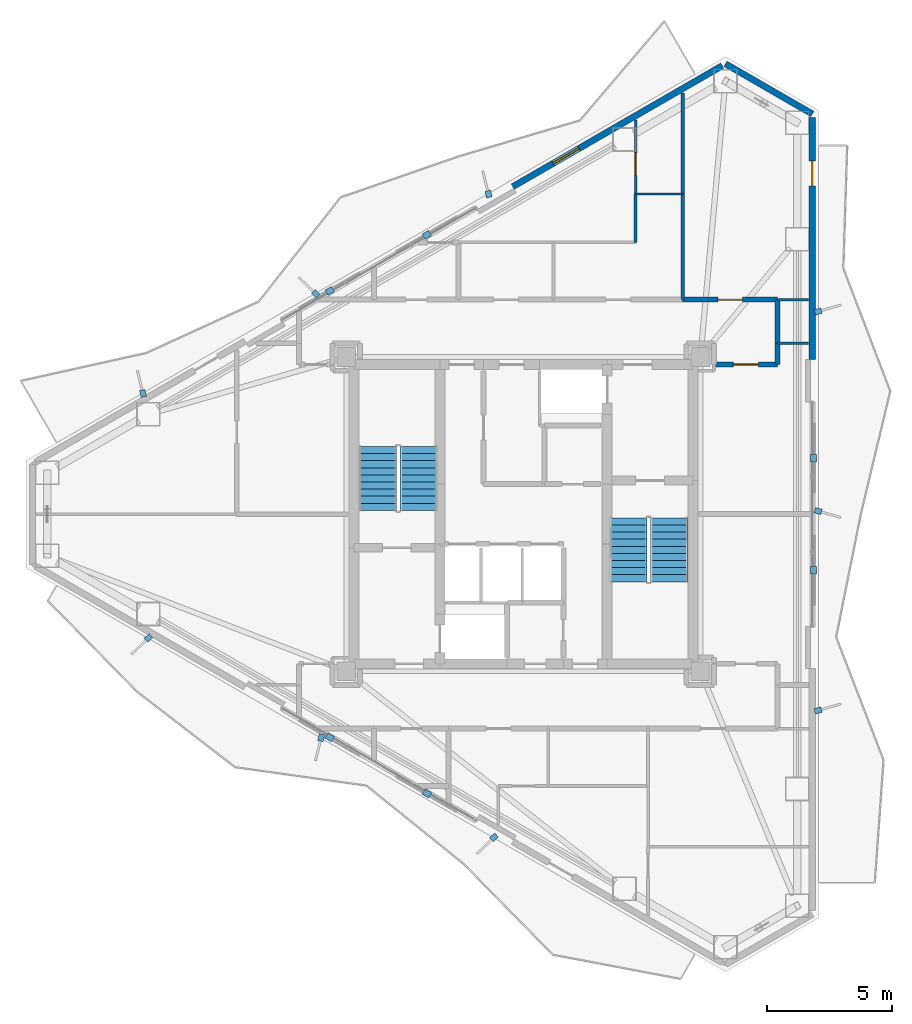
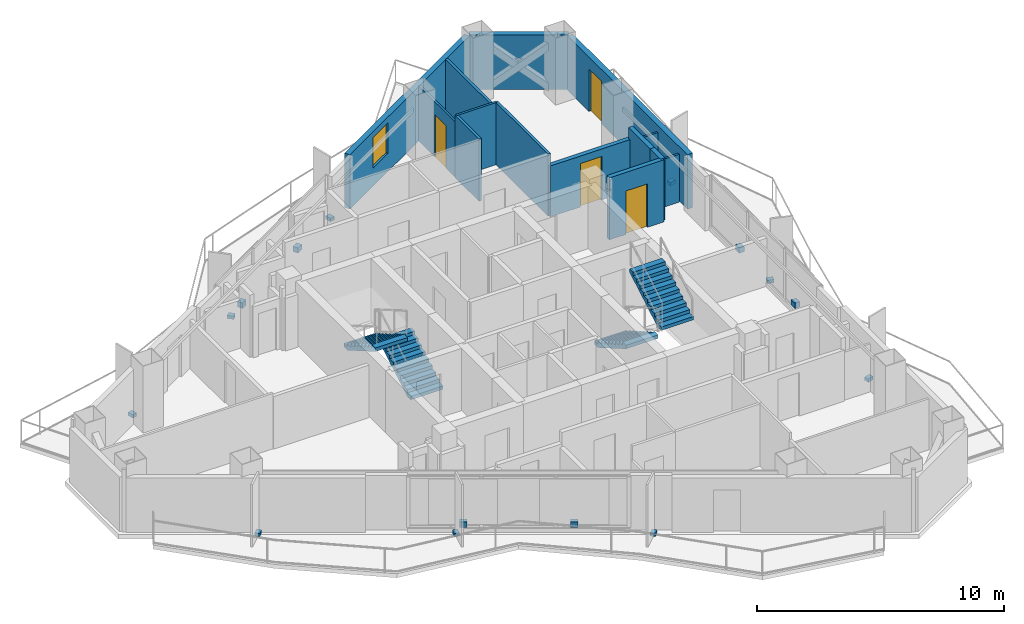
# One storey, part 19 of 21: 15 discrete accessories, 14 walls, 4 doors, 4 stair flights, 1 window, 5 openings, 2 elements without a shape of their own.
"""IFC4 building model written with IfcOpenShell, lengths in metres."""

from ifc_helpers import new_model, si_unit, direction, frame, frame_2d, origin, origin_2d, place, context, subcontext, project, spatial, polyline, rectangle, outline, extrude, material, layer, layer_set, type_object, element, fill, aggregate, save


model = new_model("IFC4")

# Units and contexts
model_context = context("Model", 3, precision=1e-05, world=origin(), true_north=direction((0.0, 1.0)))
body_context = subcontext(model_context, "Body", "Model", "MODEL_VIEW")
ifc_project = project(units=[si_unit("LENGTHUNIT", "METRE"), si_unit("AREAUNIT", "SQUARE_METRE"), si_unit("VOLUMEUNIT", "CUBIC_METRE"), si_unit("PLANEANGLEUNIT", "RADIAN"), si_unit("MASSUNIT", "GRAM", prefix="KILO")], contexts=[model_context])

# Site, building, storey
site_placement = place(None, origin())
site = spatial("IfcSite", under=ifc_project, at=site_placement, CompositionType="ELEMENT")
building_placement = place(site_placement, origin())
building = spatial("IfcBuilding", under=site, at=building_placement, Name="Mersakhor Tower and Convention Hall", CompositionType="ELEMENT")
storey_placement = place(building_placement, frame((0.0, 0.0, 182.10009765625)))
storey = spatial("IfcBuildingStorey", under=building, at=storey_placement, Name="L50", CompositionType="ELEMENT", Elevation=182.10009765625)

# Wall
ifc_material_1 = material(Name="Precast concrete C40/50", Category="concrete")
ifc_layer_1 = layer(ifc_material_1, 0.25)
ifc_layer_set_1 = layer_set([ifc_layer_1], Name="Precast concrete C40/50")
wall_type_1 = type_object("IfcWallType", Name="WL-EXT-250", PredefinedType="SOLIDWALL", material=ifc_layer_set_1)
wall_1_placement = place(storey_placement, frame((37.10400390625, 44.81005859375, 0.0), z_axis=(0.0, 0.0, 1.0), x_axis=(0.866023907196, -0.500002592159, 0.0)))
element("IfcWall", 1, at=wall_1_placement, inside=storey, type_object=wall_type_1, Name="L50 Chamfer Braced Spandrel Wall C1", PredefinedType="SOLIDWALL", context=body_context, shape_type="SweptSolid", body=[
    extrude(rectangle(XDim=4.0234375, YDim=0.25, at=frame_2d((2.01171875, 0.0))), origin(), (0.0, 0.0, 1.0), 2.68994140625),
])

# Wall, opening, window
wall_2_placement = place(storey_placement, frame((28.57470703125, 39.885498046875, 0.0), z_axis=(0.0, 0.0, 1.0), x_axis=(0.866016233231, 0.500015883528, 0.0)))
wall_2 = element("IfcWall", 2, at=wall_2_placement, inside=storey, type_object=wall_type_1, Name="L50 Exterior Facade Wall F1-B3", PredefinedType="SOLIDWALL", context=body_context, shape_type="SweptSolid", body=[
    extrude(rectangle(XDim=9.698974609375, YDim=0.25, at=frame_2d((4.849609375, 0.0))), origin(), (0.0, 0.0, 1.0), 2.68994140625),
])
opening_1_placement = place(wall_2_placement, frame((1.8701171875, 0.0, 0.89990234375)))
opening_1 = element("IfcOpeningElement", 3, at=opening_1_placement, cuts=wall_2, Name="Opening W-01", PredefinedType="OPENING", context=body_context, shape_type="SweptSolid", body=[
    extrude(rectangle(XDim=1.199951171875, YDim=1.5, at=frame_2d((0.60009765625, 0.75))), frame((0.0, 0.135009765625, 0.0), z_axis=(0.0, -1.0, 0.0), x_axis=(1.0, 0.0, 0.0)), (0.0, 0.0, 1.0), 0.27001953125),
])
ifc_material_2 = material(Name="Dark solar low-E glazed aluminium window", Category="aluminium")
window_type = type_object("IfcWindowType", Name="WN-RES-120x150", PartitioningType="SINGLE_PANEL", PredefinedType="WINDOW", material=ifc_material_2)
window_placement = place(opening_1_placement, origin())
window = element("IfcWindow", 4, at=window_placement, inside=storey, type_object=window_type, Name="L50 Facade Punched Window F1-B3", OverallHeight=1.5, OverallWidth=1.199951171875, PartitioningType="SINGLE_PANEL", PredefinedType="WINDOW", context=body_context, shape_type="SweptSolid", body=[
    extrude(rectangle(XDim=1.199951171875, YDim=1.5, at=frame_2d((0.60009765625, 0.75))), frame((0.0, 0.030029296875, 0.0), z_axis=(0.0, -1.0, 0.0), x_axis=(1.0, 0.0, 0.0)), (0.0, 0.0, 1.0), 0.06005859375),
])
fill(opening_1, window)

# Wall, opening, door
wall_3_placement = place(storey_placement, frame((40.58837890625, 42.6484375, 0.0), z_axis=(0.0, 0.0, 1.0), x_axis=(0.0, -1.0, 0.0)))
wall_3 = element("IfcWall", 5, at=wall_3_placement, inside=storey, type_object=wall_type_1, Name="L50 Exterior Facade Wall F2-B1", PredefinedType="SOLIDWALL", context=body_context, shape_type="SweptSolid", body=[
    extrude(rectangle(XDim=9.698974609375, YDim=0.25, at=frame_2d((4.849609375, 0.0))), origin(), (0.0, 0.0, 1.0), 2.68994140625),
])
opening_2_placement = place(wall_3_placement, frame((1.72998046875, 0.0, 0.0)))
opening_2 = element("IfcOpeningElement", 6, at=opening_2_placement, cuts=wall_3, Name="Opening BD-01", PredefinedType="OPENING", context=body_context, shape_type="SweptSolid", body=[
    extrude(rectangle(XDim=1.0, YDim=2.10009765625, at=frame_2d((0.5, 1.050048828125))), frame((0.0, 0.135009765625, 0.0), z_axis=(0.0, -1.0, 0.0), x_axis=(1.0, 0.0, 0.0)), (0.0, 0.0, 1.0), 0.27001953125),
])
ifc_material_3 = material(Name="Thermally broken dark aluminium and safety glass", Category="aluminium")
door_type_1 = type_object("IfcDoorType", Name="DR-BAL-100x210", OperationType="NOTDEFINED", PredefinedType="DOOR", material=ifc_material_3)
door_1_placement = place(opening_2_placement, origin())
door_1 = element("IfcDoor", 7, at=door_1_placement, inside=storey, type_object=door_type_1, Name="L50 Balcony Terrace Door F2-B1", OperationType="SINGLE_SWING_LEFT", OverallHeight=2.10009765625, OverallWidth=1.0, PredefinedType="DOOR", context=body_context, shape_type="SweptSolid", body=[
    extrude(rectangle(XDim=1.0, YDim=2.10009765625, at=frame_2d((0.5, 1.050048828125))), frame((0.0, 0.02490234375, 0.0), z_axis=(0.0, -1.0, 0.0), x_axis=(1.0, 0.0, 0.0)), (0.0, 0.0, 1.0), 0.050048828125),
])
fill(opening_2, door_1)

# Wall
ifc_material_4 = material(Name="Lightweight gypsum partition", Category="other")
ifc_layer_2 = layer(ifc_material_4, 0.10009765625)
ifc_layer_set_2 = layer_set([ifc_layer_2], Name="Lightweight gypsum partition")
wall_type_2 = type_object("IfcWallType", Name="WL-PRT-100", PredefinedType="PARTITIONING", material=ifc_layer_set_2)
wall_4_placement = place(storey_placement, frame((39.199951171875, 33.60009765625, 0.0), z_axis=(0.0, 0.0, 1.0), x_axis=(1.0, 0.0, 0.0)))
element("IfcWall", 8, at=wall_4_placement, inside=storey, type_object=wall_type_2, Name="L50 Interior Partition Wall P-064", PredefinedType="PARTITIONING", context=body_context, shape_type="SweptSolid", body=[
    extrude(rectangle(XDim=1.239501953125, YDim=0.10009765625, at=frame_2d((0.61962890625, 0.0))), origin(), (0.0, 0.0, 1.0), 2.364990234375),
])

# Wall, opening, door
wall_5_placement = place(storey_placement, frame((33.5, 42.55712890625, 0.0), z_axis=(0.0, 0.0, 1.0), x_axis=(0.0, -1.0, 0.0)))
wall_5 = element("IfcWall", 9, at=wall_5_placement, inside=storey, type_object=wall_type_2, Name="L50 Interior Partition Wall P-074", PredefinedType="PARTITIONING", context=body_context, shape_type="SweptSolid", body=[
    extrude(rectangle(XDim=2.967041015625, YDim=0.10009765625, at=frame_2d((1.4833984375, 0.0))), origin(), (0.0, 0.0, 1.0), 2.734375),
])
opening_3_placement = place(wall_5_placement, frame((1.319580078125, 0.0, 0.0)))
opening_3 = element("IfcOpeningElement", 10, at=opening_3_placement, cuts=wall_5, Name="Opening WD-01", PredefinedType="OPENING", context=body_context, shape_type="SweptSolid", body=[
    extrude(rectangle(XDim=0.89990234375, YDim=2.10009765625, at=frame_2d((0.449951171875, 1.050048828125))), frame((0.0, 0.06005859375, 0.0), z_axis=(0.0, -1.0, 0.0), x_axis=(1.0, 0.0, 0.0)), (0.0, 0.0, 1.0), 0.1201171875),
])
ifc_material_5 = material(Name="Solid-core hardwood leaf in painted steel frame", Category="steel")
door_type_2 = type_object("IfcDoorType", Name="DR-INT-WET-090x210", OperationType="NOTDEFINED", PredefinedType="DOOR", material=ifc_material_5)
door_2_placement = place(opening_3_placement, origin())
door_2 = element("IfcDoor", 11, at=door_2_placement, inside=storey, type_object=door_type_2, Name="L50 L50 Floor Residents Study Room 1-3 to L50 Floor Residents Study Room 1-5 Door", OperationType="SINGLE_SWING_RIGHT", OverallHeight=2.10009765625, OverallWidth=0.89990234375, PredefinedType="DOOR", context=body_context, shape_type="SweptSolid", body=[
    extrude(rectangle(XDim=0.89990234375, YDim=2.10009765625, at=frame_2d((0.449951171875, 1.050048828125))), frame((0.0, 0.02490234375, 0.0), z_axis=(0.0, -1.0, 0.0), x_axis=(1.0, 0.0, 0.0)), (0.0, 0.0, 1.0), 0.050048828125),
])
fill(opening_3, door_2)

# Walls
wall_6_placement = place(storey_placement, frame((33.5, 39.590087890625, 0.0), z_axis=(0.0, 0.0, 1.0), x_axis=(1.0, 0.0, 0.0)))
element("IfcWall", 12, at=wall_6_placement, inside=storey, type_object=wall_type_2, Name="L50 Interior Partition Wall P-078", PredefinedType="PARTITIONING", context=body_context, shape_type="SweptSolid", body=[
    extrude(rectangle(XDim=1.889892578125, YDim=0.10009765625, at=frame_2d((0.94482421875, 0.0))), origin(), (0.0, 0.0, 1.0), 3.06982421875),
])
wall_7_placement = place(storey_placement, frame((40.439453125, 35.35009765625, 0.0), z_axis=(0.0, 0.0, 1.0), x_axis=(-1.0, 0.0, 0.0)))
element("IfcWall", 13, at=wall_7_placement, inside=storey, type_object=wall_type_2, Name="L50 Interior Partition Wall P-080", PredefinedType="PARTITIONING", context=body_context, shape_type="SweptSolid", body=[
    extrude(rectangle(XDim=1.239501953125, YDim=0.10009765625, at=frame_2d((0.61962890625, 0.0))), origin(), (0.0, 0.0, 1.0), 2.364990234375),
])
ifc_material_6 = material(Name="Gypsum board acoustic partition", Category="other")
ifc_layer_3 = layer(ifc_material_6, 0.125)
ifc_layer_set_3 = layer_set([ifc_layer_3], Name="Gypsum board acoustic partition")
wall_type_3 = type_object("IfcWallType", Name="WL-PRT-125", PredefinedType="PARTITIONING", material=ifc_layer_set_3)
wall_8_placement = place(storey_placement, frame((33.5, 39.590087890625, 0.0), z_axis=(0.0, 0.0, 1.0), x_axis=(0.0, -1.0, 0.0)))
element("IfcWall", 14, at=wall_8_placement, inside=storey, type_object=wall_type_3, Name="L50 Interior Partition Wall P-075", PredefinedType="PARTITIONING", context=body_context, shape_type="SweptSolid", body=[
    extrude(rectangle(XDim=1.940185546875, YDim=0.125, at=frame_2d((0.97021484375, 0.0))), origin(), (0.0, 0.0, 1.0), 3.06982421875),
])
wall_9_placement = place(storey_placement, frame((35.389892578125, 39.590087890625, 0.0), z_axis=(0.0, 0.0, 1.0), x_axis=(0.0, -1.0, 0.0)))
element("IfcWall", 15, at=wall_9_placement, inside=storey, type_object=wall_type_3, Name="L50 Interior Partition Wall P-077", PredefinedType="PARTITIONING", context=body_context, shape_type="SweptSolid", body=[
    extrude(rectangle(XDim=4.239990234375, YDim=0.125, at=frame_2d((2.1201171875, 0.0))), origin(), (0.0, 0.0, 1.0), 3.06982421875),
])
wall_10_placement = place(storey_placement, frame((35.389892578125, 43.648193359375, 0.0), z_axis=(0.0, 0.0, 1.0), x_axis=(0.0, -1.0, 0.0)))
element("IfcWall", 16, at=wall_10_placement, inside=storey, type_object=wall_type_3, Name="L50 Interior Partition Wall P-079", PredefinedType="PARTITIONING", context=body_context, shape_type="SweptSolid", body=[
    extrude(rectangle(XDim=4.05810546875, YDim=0.125, at=frame_2d((2.029052734375, 0.0))), origin(), (0.0, 0.0, 1.0), 2.734375),
])
ifc_material_7 = material(Name="Acoustic concrete blockwork and gypsum board", Category="masonry")
ifc_layer_4 = layer(ifc_material_7, 0.199951171875)
ifc_layer_set_4 = layer_set([ifc_layer_4], Name="Acoustic concrete blockwork and gypsum board")
wall_type_4 = type_object("IfcWallType", Name="WL-PRT-200", PredefinedType="PARTITIONING", material=ifc_layer_set_4)
wall_11_placement = place(storey_placement, frame((39.199951171875, 35.35009765625, 0.0), z_axis=(0.0, 0.0, 1.0), x_axis=(0.0, -1.0, 0.0)))
element("IfcWall", 17, at=wall_11_placement, inside=storey, type_object=wall_type_4, Name="L50 Interior Partition Wall P-016", PredefinedType="PARTITIONING", context=body_context, shape_type="SweptSolid", body=[
    extrude(rectangle(XDim=1.75, YDim=0.199951171875, at=frame_2d((0.875, 0.0))), origin(), (0.0, 0.0, 1.0), 3.06982421875),
])
wall_12_placement = place(storey_placement, frame((39.199951171875, 33.60009765625, 0.0), z_axis=(0.0, 0.0, 1.0), x_axis=(0.0, -1.0, 0.0)))
element("IfcWall", 18, at=wall_12_placement, inside=storey, type_object=wall_type_4, Name="L50 Interior Partition Wall P-017", PredefinedType="PARTITIONING", context=body_context, shape_type="SweptSolid", body=[
    extrude(rectangle(XDim=0.85009765625, YDim=0.199951171875, at=frame_2d((0.425048828125, 0.0))), origin(), (0.0, 0.0, 1.0), 3.06982421875),
])

# Wall, opening, door
wall_13_placement = place(storey_placement, frame((39.199951171875, 32.75, 0.0), z_axis=(0.0, 0.0, 1.0), x_axis=(-1.0, 0.0, 0.0)))
wall_13 = element("IfcWall", 19, at=wall_13_placement, inside=storey, type_object=wall_type_4, Name="L50 Interior Partition Wall P-018", PredefinedType="PARTITIONING", context=body_context, shape_type="SweptSolid", body=[
    extrude(rectangle(XDim=2.550048828125, YDim=0.199951171875, at=frame_2d((1.27490234375, 0.0))), origin(), (0.0, 0.0, 1.0), 3.06982421875),
])
opening_4_placement = place(wall_13_placement, frame((0.77490234375, 0.0, 0.0)))
opening_4 = element("IfcOpeningElement", 20, at=opening_4_placement, cuts=wall_13, Name="Opening FD-01", PredefinedType="OPENING", context=body_context, shape_type="SweptSolid", body=[
    extrude(rectangle(XDim=1.0, YDim=2.14990234375, at=frame_2d((0.5, 1.074951171875))), frame((0.0, 0.10986328125, 0.0), z_axis=(0.0, -1.0, 0.0), x_axis=(1.0, 0.0, 0.0)), (0.0, 0.0, 1.0), 0.219970703125),
])
ifc_material_8 = material(Name="Fire-rated hardwood leaf and painted steel frame", Category="steel")
door_type_3 = type_object("IfcDoorType", Name="DR-INT-FLT-100x215", OperationType="NOTDEFINED", PredefinedType="DOOR", material=ifc_material_8)
door_3_placement = place(opening_4_placement, origin())
door_3 = element("IfcDoor", 21, at=door_3_placement, inside=storey, type_object=door_type_3, Name="L50 Residential North Gallery Corridor to L50 East Wing Sky Study Lounge Door", OperationType="SINGLE_SWING_LEFT", OverallHeight=2.14990234375, OverallWidth=1.0, PredefinedType="DOOR", context=body_context, shape_type="SweptSolid", body=[
    extrude(rectangle(XDim=1.0, YDim=2.14990234375, at=frame_2d((0.5, 1.074951171875))), frame((0.0, 0.02490234375, 0.0), z_axis=(0.0, -1.0, 0.0), x_axis=(1.0, 0.0, 0.0)), (0.0, 0.0, 1.0), 0.050048828125),
])
fill(opening_4, door_3)

wall_14_placement = place(storey_placement, frame((35.389892578125, 35.35009765625, 0.0), z_axis=(0.0, 0.0, 1.0), x_axis=(1.0, 0.0, 0.0)))
wall_14 = element("IfcWall", 22, at=wall_14_placement, inside=storey, type_object=wall_type_4, Name="L50 Interior Partition Wall P-032", PredefinedType="PARTITIONING", context=body_context, shape_type="SweptSolid", body=[
    extrude(rectangle(XDim=3.81005859375, YDim=0.199951171875, at=frame_2d((1.905029296875, 0.0))), origin(), (0.0, 0.0, 1.0), 2.518310546875),
])
opening_5_placement = place(wall_14_placement, frame((1.405029296875, 0.0, 0.0)))
opening_5 = element("IfcOpeningElement", 23, at=opening_5_placement, cuts=wall_14, Name="Opening FD-01", PredefinedType="OPENING", context=body_context, shape_type="SweptSolid", body=[
    extrude(rectangle(XDim=1.0, YDim=2.14990234375, at=frame_2d((0.5, 1.074951171875))), frame((0.0, 0.10986328125, 0.0), z_axis=(0.0, -1.0, 0.0), x_axis=(1.0, 0.0, 0.0)), (0.0, 0.0, 1.0), 0.219970703125),
])
door_4_placement = place(opening_5_placement, origin())
door_4 = element("IfcDoor", 24, at=door_4_placement, inside=storey, type_object=door_type_3, Name="L50 Residential North Gallery Corridor to L50 Floor Residents Study Room 1-6 Door", OperationType="SINGLE_SWING_LEFT", OverallHeight=2.14990234375, OverallWidth=1.0, PredefinedType="DOOR", context=body_context, shape_type="SweptSolid", body=[
    extrude(rectangle(XDim=1.0, YDim=2.14990234375, at=frame_2d((0.5, 1.074951171875))), frame((0.0, 0.02490234375, 0.0), z_axis=(0.0, -1.0, 0.0), x_axis=(1.0, 0.0, 0.0)), (0.0, 0.0, 1.0), 0.050048828125),
])
fill(opening_5, door_4)

# Stair, stair flights
ifc_material_9 = material(Name="Concrete C45/55", Category="concrete")
stair_type = type_object("IfcStairType", Name="ST-TWR-20R", PredefinedType="HALF_TURN_STAIR", material=ifc_material_9)
stair_1_placement = place(storey_placement, origin())
stair_1 = element("IfcStair", 25, at=stair_1_placement, inside=storey, type_object=stair_type, Name="L50 Tower Protected Exit Stair ST-1", PredefinedType="HALF_TURN_STAIR")
ifc_material_10 = material(Name="Concrete C45/55", Category="concrete")
stair_flight_type = type_object("IfcStairFlightType", Name="SFL-TWR-20R", PredefinedType="STRAIGHT", material=ifc_material_10)
stair_flight_1_placement = place(storey_placement, frame((24.800048828125, 26.89990234375, 0.0), z_axis=(0.0, 0.0, 1.0), x_axis=(0.0, 1.0, 0.0)))
stair_flight_1 = element("IfcStairFlight", 26, at=stair_flight_1_placement, type_object=stair_flight_type, Name="ST-1 flight 1", NumberOfRisers=10, NumberOfTreads=9, PredefinedType="STRAIGHT", RiserHeight=0.165, TreadLength=0.285, context=body_context, shape_type="SweptSolid", body=[
    extrude(outline(polyline([(0.0, 0.0), (0.0, 0.1650390625), (0.284912109375, 0.1650390625), (0.284912109375, 0.330078125), (0.570068359375, 0.330078125), (0.570068359375, 0.4951171875), (0.85498046875, 0.4951171875), (0.85498046875, 0.659912109375), (1.139892578125, 0.659912109375), (1.139892578125, 0.824951171875), (1.425048828125, 0.824951171875), (1.425048828125, 0.989990234375), (1.7099609375, 0.989990234375), (1.7099609375, 1.155029296875), (1.9951171875, 1.155029296875), (1.9951171875, 1.320068359375), (2.280029296875, 1.320068359375), (2.280029296875, 1.485107421875), (2.56494140625, 1.485107421875), (2.56494140625, 1.64990234375), (2.56494140625, 1.311767578125), (0.299072265625, 0.0), (0.0, 0.0)])), frame((0.0, 0.75, 0.0), z_axis=(0.0, -1.0, 0.0), x_axis=(1.0, 0.0, 0.0)), (0.0, 0.0, 1.0), 1.5),
])
stair_flight_2_placement = place(storey_placement, frame((23.14990234375, 29.465087890625, 1.64990234375), z_axis=(0.0, 0.0, 1.0), x_axis=(0.0, -1.0, 0.0)))
stair_flight_2 = element("IfcStairFlight", 27, at=stair_flight_2_placement, type_object=stair_flight_type, Name="ST-1 flight 2", NumberOfRisers=10, NumberOfTreads=9, PredefinedType="STRAIGHT", RiserHeight=0.165, TreadLength=0.285, context=body_context, shape_type="SweptSolid", body=[
    extrude(outline(polyline([(0.0, 0.0), (0.0, 0.1650390625), (0.284912109375, 0.1650390625), (0.284912109375, 0.330078125), (0.570068359375, 0.330078125), (0.570068359375, 0.4951171875), (0.85498046875, 0.4951171875), (0.85498046875, 0.659912109375), (1.139892578125, 0.659912109375), (1.139892578125, 0.824951171875), (1.425048828125, 0.824951171875), (1.425048828125, 0.989990234375), (1.7099609375, 0.989990234375), (1.7099609375, 1.155029296875), (1.9951171875, 1.155029296875), (1.9951171875, 1.320068359375), (2.280029296875, 1.320068359375), (2.280029296875, 1.485107421875), (2.56494140625, 1.485107421875), (2.56494140625, 1.64990234375), (2.56494140625, 1.311767578125), (0.299072265625, 0.0), (0.0, 0.0)])), frame((0.0, 0.75, 0.0), z_axis=(0.0, -1.0, 0.0), x_axis=(1.0, 0.0, 0.0)), (0.0, 0.0, 1.0), 1.5),
])
aggregate(stair_1, [stair_flight_1, stair_flight_2])

stair_2_placement = place(storey_placement, origin())
stair_2 = element("IfcStair", 28, at=stair_2_placement, inside=storey, type_object=stair_type, Name="L50 Tower Protected Exit Stair ST-2", PredefinedType="HALF_TURN_STAIR")
stair_flight_3_placement = place(storey_placement, frame((33.199951171875, 26.60009765625, 0.0), z_axis=(0.0, 0.0, 1.0), x_axis=(0.0, -1.0, 0.0)))
stair_flight_3 = element("IfcStairFlight", 29, at=stair_flight_3_placement, type_object=stair_flight_type, Name="ST-2 flight 1", NumberOfRisers=10, NumberOfTreads=9, PredefinedType="STRAIGHT", RiserHeight=0.165, TreadLength=0.285, context=body_context, shape_type="SweptSolid", body=[
    extrude(outline(polyline([(0.0, 0.0), (0.0, 0.1650390625), (0.284912109375, 0.1650390625), (0.284912109375, 0.330078125), (0.570068359375, 0.330078125), (0.570068359375, 0.4951171875), (0.85498046875, 0.4951171875), (0.85498046875, 0.659912109375), (1.139892578125, 0.659912109375), (1.139892578125, 0.824951171875), (1.425048828125, 0.824951171875), (1.425048828125, 0.989990234375), (1.7099609375, 0.989990234375), (1.7099609375, 1.155029296875), (1.9951171875, 1.155029296875), (1.9951171875, 1.320068359375), (2.280029296875, 1.320068359375), (2.280029296875, 1.485107421875), (2.56494140625, 1.485107421875), (2.56494140625, 1.64990234375), (2.56494140625, 1.311767578125), (0.299072265625, 0.0), (0.0, 0.0)])), frame((0.0, 0.75, 0.0), z_axis=(0.0, -1.0, 0.0), x_axis=(1.0, 0.0, 0.0)), (0.0, 0.0, 1.0), 1.5),
])
stair_flight_4_placement = place(storey_placement, frame((34.85009765625, 24.034912109375, 1.64990234375), z_axis=(0.0, 0.0, 1.0), x_axis=(0.0, 1.0, 0.0)))
stair_flight_4 = element("IfcStairFlight", 30, at=stair_flight_4_placement, type_object=stair_flight_type, Name="ST-2 flight 2", NumberOfRisers=10, NumberOfTreads=9, PredefinedType="STRAIGHT", RiserHeight=0.165, TreadLength=0.285, context=body_context, shape_type="SweptSolid", body=[
    extrude(outline(polyline([(0.0, 0.0), (0.0, 0.1650390625), (0.284912109375, 0.1650390625), (0.284912109375, 0.330078125), (0.570068359375, 0.330078125), (0.570068359375, 0.4951171875), (0.85498046875, 0.4951171875), (0.85498046875, 0.659912109375), (1.139892578125, 0.659912109375), (1.139892578125, 0.824951171875), (1.425048828125, 0.824951171875), (1.425048828125, 0.989990234375), (1.7099609375, 0.989990234375), (1.7099609375, 1.155029296875), (1.9951171875, 1.155029296875), (1.9951171875, 1.320068359375), (2.280029296875, 1.320068359375), (2.280029296875, 1.485107421875), (2.56494140625, 1.485107421875), (2.56494140625, 1.64990234375), (2.56494140625, 1.311767578125), (0.299072265625, 0.0), (0.0, 0.0)])), frame((0.0, 0.75, 0.0), z_axis=(0.0, -1.0, 0.0), x_axis=(1.0, 0.0, 0.0)), (0.0, 0.0, 1.0), 1.5),
])
aggregate(stair_2, [stair_flight_3, stair_flight_4])

# Discrete accessories
ifc_material_11 = material(Name="Galvanised steel bracket", Category="steel")
ifc_layer_5 = layer(ifc_material_11, 0.02001953125)
ifc_layer_set_5 = layer_set([ifc_layer_5], Name="Galvanised steel bracket")
discrete_accessory_type = type_object("IfcDiscreteAccessoryType", Name="ACC-BRK-STL", PredefinedType="BRACKET", material=ifc_layer_set_5)
for number, where, z_axis, x_axis, name in (
    (31, (21.232421875, 35.704345703125, 0.2900390625), (0.0, 0.0, 1.0), (0.866025403784, 0.5, 0.0), "L50 Solar Screen Outrigger Bracket BRK-1-1"),
    (32, (25.129150390625, 37.9541015625, 0.2900390625), (0.0, 0.0, 1.0), (0.866025403784, 0.5, 0.0), "L50 Solar Screen Outrigger Bracket BRK-1-2"),
):
    element("IfcDiscreteAccessory", number, at=place(storey_placement, frame(where, z_axis=z_axis, x_axis=x_axis)), inside=storey, type_object=discrete_accessory_type, Name=name, PredefinedType="BRACKET", context=body_context, shape_type="SweptSolid", body=[
        extrude(rectangle(XDim=0.300048828125, YDim=0.239990234375, at=origin_2d()), origin(), (0.0, 0.0, 1.0), 0.260009765625),
    ])
for number, where, z_axis, x_axis, name in (
    (33, (13.743896484375, 31.588623046875, -0.02001953125), (0.0, 0.0, 1.0), (-0.2419218956, 0.970295726276, 0.0), "L50 Facade Fin Base Cleat Bracket FBRK-1-1"),
    (34, (20.672119140625, 35.588623046875, -0.02001953125), (0.0, 0.0, 1.0), (-0.719339800339, 0.694658370459, 0.0), "L50 Facade Fin Base Cleat Bracket FBRK-1-2"),
    (35, (27.600341796875, 39.588623046875, -0.02001953125), (0.0, 0.0, 1.0), (-0.2419218956, 0.970295726276, 0.0), "L50 Facade Fin Base Cleat Bracket FBRK-1-3"),
):
    element("IfcDiscreteAccessory", number, at=place(storey_placement, frame(where, z_axis=z_axis, x_axis=x_axis)), inside=storey, type_object=discrete_accessory_type, Name=name, PredefinedType="BRACKET", context=body_context, shape_type="SweptSolid", body=[
        extrude(rectangle(XDim=0.280029296875, YDim=0.219970703125, at=origin_2d()), origin(), (0.0, 0.0, 1.0), 0.159912109375),
    ])
for number, where, z_axis, x_axis, name in (
    (36, (40.638427734375, 28.999755859375, 0.2900390625), (0.0, 0.0, 1.0), (0.0, -1.0, 0.0), "L50 Solar Screen Outrigger Bracket BRK-2-1"),
    (37, (40.638427734375, 24.500244140625, 0.2900390625), (0.0, 0.0, 1.0), (0.0, -1.0, 0.0), "L50 Solar Screen Outrigger Bracket BRK-2-2"),
):
    element("IfcDiscreteAccessory", number, at=place(storey_placement, frame(where, z_axis=z_axis, x_axis=x_axis)), inside=storey, type_object=discrete_accessory_type, Name=name, PredefinedType="BRACKET", context=body_context, shape_type="SweptSolid", body=[
        extrude(rectangle(XDim=0.300048828125, YDim=0.239990234375, at=origin_2d()), origin(), (0.0, 0.0, 1.0), 0.260009765625),
    ])
for number, where, z_axis, x_axis, name in (
    (38, (40.818359375, 34.8759765625, -0.02001953125), (0.0, 0.0, 1.0), (0.961261695938, 0.275637355817, 0.0), "L50 Facade Fin Base Cleat Bracket FBRK-2-1"),
    (39, (40.818359375, 26.8759765625, -0.02001953125), (0.0, 0.0, 1.0), (0.961261695938, -0.275637355817, 0.0), "L50 Facade Fin Base Cleat Bracket FBRK-2-2"),
    (40, (40.818359375, 18.8759765625, -0.02001953125), (0.0, 0.0, 1.0), (0.961261695938, 0.275637355817, 0.0), "L50 Facade Fin Base Cleat Bracket FBRK-2-3"),
):
    element("IfcDiscreteAccessory", number, at=place(storey_placement, frame(where, z_axis=z_axis, x_axis=x_axis)), inside=storey, type_object=discrete_accessory_type, Name=name, PredefinedType="BRACKET", context=body_context, shape_type="SweptSolid", body=[
        extrude(rectangle(XDim=0.280029296875, YDim=0.219970703125, at=origin_2d()), origin(), (0.0, 0.0, 1.0), 0.159912109375),
    ])
for number, where, z_axis, x_axis, name in (
    (41, (25.129150390625, 15.5458984375, 0.2900390625), (0.0, 0.0, 1.0), (-0.866025403784, 0.5, 0.0), "L50 Solar Screen Outrigger Bracket BRK-3-1"),
    (42, (21.232421875, 17.795654296875, 0.2900390625), (0.0, 0.0, 1.0), (-0.866025403784, 0.5, 0.0), "L50 Solar Screen Outrigger Bracket BRK-3-2"),
):
    element("IfcDiscreteAccessory", number, at=place(storey_placement, frame(where, z_axis=z_axis, x_axis=x_axis)), inside=storey, type_object=discrete_accessory_type, Name=name, PredefinedType="BRACKET", context=body_context, shape_type="SweptSolid", body=[
        extrude(rectangle(XDim=0.300048828125, YDim=0.239990234375, at=origin_2d()), origin(), (0.0, 0.0, 1.0), 0.260009765625),
    ])
for number, where, z_axis, x_axis, name in (
    (43, (27.81884765625, 13.785400390625, -0.02001953125), (0.0, 0.0, 1.0), (-0.719339800339, -0.694658370459, 0.0), "L50 Facade Fin Base Cleat Bracket FBRK-3-1"),
    (44, (20.890625, 17.785400390625, -0.02001953125), (0.0, 0.0, 1.0), (-0.2419218956, -0.970295726276, 0.0), "L50 Facade Fin Base Cleat Bracket FBRK-3-2"),
    (45, (13.96240234375, 21.785400390625, -0.02001953125), (0.0, 0.0, 1.0), (-0.719339800339, -0.694658370459, 0.0), "L50 Facade Fin Base Cleat Bracket FBRK-3-3"),
):
    element("IfcDiscreteAccessory", number, at=place(storey_placement, frame(where, z_axis=z_axis, x_axis=x_axis)), inside=storey, type_object=discrete_accessory_type, Name=name, PredefinedType="BRACKET", context=body_context, shape_type="SweptSolid", body=[
        extrude(rectangle(XDim=0.280029296875, YDim=0.219970703125, at=origin_2d()), origin(), (0.0, 0.0, 1.0), 0.159912109375),
    ])

save(model, "model.ifc")
